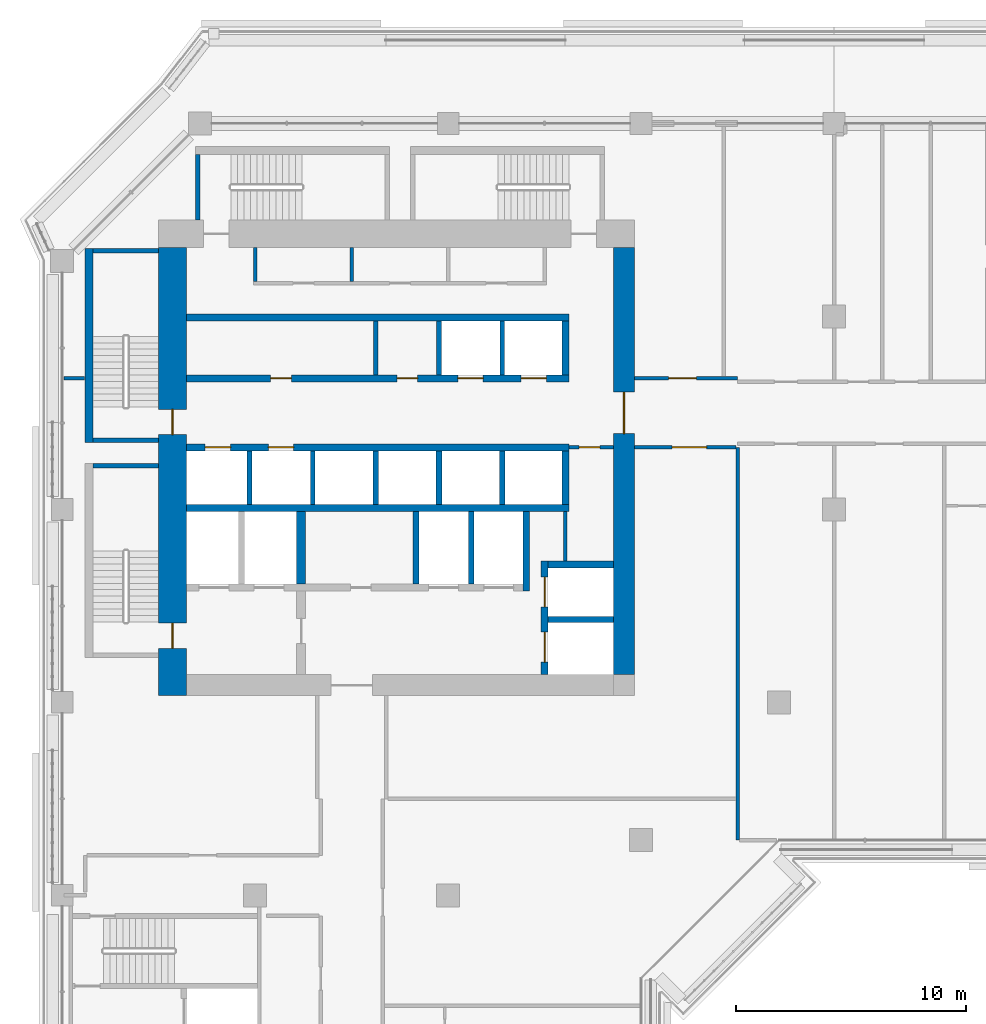
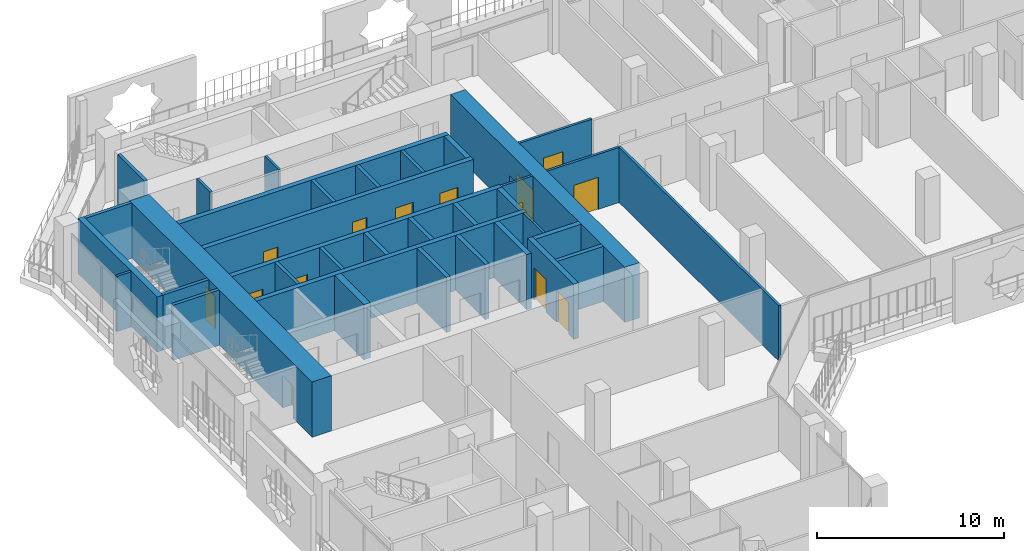
# One storey, part 11 of 22: 36 walls, 14 doors, 14 openings.
"""IFC4 building model written with IfcOpenShell, lengths in metres."""

import ifcopenshell
import ifcopenshell.guid

model = None  # the IFC model being written
_history = None  # IfcOwnerHistory: only IFC2X3 demands one
_inside = {}  # id of a spatial element -> (the spatial element, [elements in it])
_under = {}  # id of a project, library or spatial element -> (it, [spatial elements below it])
_declared = {}  # id of a project -> (the project, [libraries it declares])
_typed = {}  # id of a type object -> (the type object, [elements of that type])
_made_of = {}  # id of a material, layer set ... -> (it, [elements and type objects made of it])


def new_model(schema):
    """Start an empty IFC model of exactly this schema.

    Asked for "IFC4X3", IfcOpenShell would pick the latest addendum, in which some entities
    have other attributes; the version numbers below select the first issue.
    IFC2X3 requires an IfcOwnerHistory on every rooted entity: one is made here for all.
    """
    global model, _history
    if schema == "IFC4X3":
        model = ifcopenshell.file(schema_version=(4, 3, 0, 0))
    else:
        model = ifcopenshell.file(schema=schema)
    _inside.clear()
    _under.clear()
    _declared.clear()
    _typed.clear()
    _made_of.clear()
    _history = None
    if model.schema == "IFC2X3":
        org = make("IfcOrganization", Name="unknown")
        user = make(
            "IfcPersonAndOrganization",
            ThePerson=make("IfcPerson", FamilyName="unknown"),
            TheOrganization=org,
        )
        app = make(
            "IfcApplication",
            ApplicationDeveloper=org,
            Version="unknown",
            ApplicationFullName="unknown",
            ApplicationIdentifier="unknown",
        )
        _history = make(
            "IfcOwnerHistory",
            OwningUser=user,
            OwningApplication=app,
            ChangeAction="ADDED",
            CreationDate=0,
        )
    return model


def make(cls, **values):
    """One entity of the class cls with the attributes given. An attribute that is None is left unset."""
    return model.create_entity(
        cls, **{name: value for name, value in values.items() if value is not None}
    )


def rooted(cls, **values):
    """An entity with a GlobalId (a new one), such as an element, a storey or a relation."""
    return make(cls, GlobalId=ifcopenshell.guid.new(), OwnerHistory=_history, **values)


def si_unit(unit_type, name, prefix=None):
    """IfcSIUnit, for example si_unit("LENGTHUNIT", "METRE", prefix="MILLI")."""
    return make("IfcSIUnit", UnitType=unit_type, Prefix=prefix, Name=name)


def assignment(units):
    """IfcUnitAssignment: the units of a project."""
    return None if units is None else make("IfcUnitAssignment", Units=units)


def point(xyz):
    """IfcCartesianPoint."""
    return None if xyz is None else make("IfcCartesianPoint", Coordinates=xyz)


def direction(xyz):
    """IfcDirection."""
    return None if xyz is None else make("IfcDirection", DirectionRatios=xyz)


def frame(location, z_axis=None, x_axis=None):
    """IfcAxis2Placement3D, a coordinate frame: its origin and axes. An axis left out is left unset."""
    return make(
        "IfcAxis2Placement3D",
        Location=point(location),
        Axis=direction(z_axis),
        RefDirection=direction(x_axis),
    )


def frame_2d(location, x_axis=None):
    """IfcAxis2Placement2D, a coordinate frame in the plane: its origin and x axis."""
    return make(
        "IfcAxis2Placement2D", Location=point(location), RefDirection=direction(x_axis)
    )


def origin():
    """The frame at (0, 0, 0) with its axes left unset."""
    return frame((0.0, 0.0, 0.0))


def place(relative_to, where):
    """IfcLocalPlacement: puts the frame where relative to a parent placement (None: the world)."""
    return make(
        "IfcLocalPlacement", PlacementRelTo=relative_to, RelativePlacement=where
    )


def context(
    kind, dimensions, precision=None, world=None, true_north=None, identifier=None
):
    """IfcGeometricRepresentationContext, for example the 3D "Model" context."""
    return make(
        "IfcGeometricRepresentationContext",
        ContextIdentifier=identifier,
        ContextType=kind,
        CoordinateSpaceDimension=dimensions,
        Precision=precision,
        WorldCoordinateSystem=world,
        TrueNorth=true_north,
    )


def subcontext(parent, identifier, kind, view, scale=None):
    """IfcGeometricRepresentationSubContext, for example "Body" below "Model"."""
    return make(
        "IfcGeometricRepresentationSubContext",
        ContextIdentifier=identifier,
        ContextType=kind,
        ParentContext=parent,
        TargetScale=scale,
        TargetView=view,
    )


def project(units=None, contexts=None):
    """IfcProject with its units and contexts."""
    return rooted(
        "IfcProject",
        Name="project",
        RepresentationContexts=contexts,
        UnitsInContext=assignment(units),
    )


def spatial(cls, under=None, at=None, **own):
    """A site, building, storey or space (cls), placed at a placement, below another one or the project."""
    s = rooted(cls, ObjectPlacement=at, **own)
    if under is not None:
        _under.setdefault(under.id(), (under, []))[1].append(s)
    return s


def profile(cls, at=None, kind="AREA", **sizes):
    """A parametric profile (cls). Its sizes go by their IFC names, for example OverallWidth=200.0."""
    return make(cls, ProfileType=kind, Position=at, **sizes)


def rectangle(**sizes):
    """IfcRectangleProfileDef."""
    return profile("IfcRectangleProfileDef", **sizes)


def extrude(swept, where, along, depth):
    """IfcExtrudedAreaSolid: the profile swept, set in the frame where, extruded along a direction by depth."""
    return make(
        "IfcExtrudedAreaSolid",
        SweptArea=swept,
        Position=where,
        ExtrudedDirection=direction(along),
        Depth=depth,
    )


def shape(context_of_items, identifier, shape_type, items):
    """IfcShapeRepresentation: the items that make up one representation, for example the "Body"."""
    return make(
        "IfcShapeRepresentation",
        ContextOfItems=context_of_items,
        RepresentationIdentifier=identifier,
        RepresentationType=shape_type,
        Items=items,
    )


def material(Name=None, Category=None):
    """IfcMaterial."""
    return make("IfcMaterial", Name=Name, Category=Category)


def layer(
    of_material, thickness, ventilated=None, Name=None, Category=None, Priority=None
):
    """IfcMaterialLayer: one layer of a wall or slab, of a material (None: an air gap)."""
    return make(
        "IfcMaterialLayer",
        Material=of_material,
        LayerThickness=thickness,
        IsVentilated=ventilated,
        Name=Name,
        Category=Category,
        Priority=Priority,
    )


def layer_set(layers, Name=None):
    """IfcMaterialLayerSet."""
    return make("IfcMaterialLayerSet", MaterialLayers=layers, LayerSetName=Name)


def made_of(thing, what):
    """Note that an element or type object is made of a material, layer set ...; save() writes the relation."""
    if what is not None:
        _made_of.setdefault(what.id(), (what, []))[1].append(thing)
    return thing


def type_object(cls, material=None, **own):
    """A type object (cls), such as IfcWallType, which elements share."""
    return made_of(rooted(cls, **own), material)


def element(
    cls,
    number,
    at=None,
    inside=None,
    cuts=None,
    type_object=None,
    material=None,
    context=None,
    identifier="Body",
    shape_type=None,
    held_by="IfcProductDefinitionShape",
    body=None,
    shapes=None,
    **own,
):
    """One element of the class cls, such as IfcWall. Its Tag is "e" and its number.

    at: its placement. inside: the storey or other place that contains it. cuts: it is an
    opening in that element (IfcRelVoidsElement). A single representation is given by context,
    identifier, shape_type and body (its items); several are given by shapes. held_by: the class
    of the entity that holds the representations. save() writes the other relations.
    """
    e = rooted(cls, Tag="e%d" % number, ObjectPlacement=at, **own)
    if body is not None:
        shapes = [shape(context, identifier, shape_type, body)]
    if shapes is not None:
        e.Representation = make(held_by, Representations=shapes)
    if inside is not None:
        _inside.setdefault(inside.id(), (inside, []))[1].append(e)
    if cuts is not None:
        rooted(
            "IfcRelVoidsElement", RelatingBuildingElement=cuts, RelatedOpeningElement=e
        )
    if type_object is not None:
        _typed.setdefault(type_object.id(), (type_object, []))[1].append(e)
    return made_of(e, material)


def fill(opening, filler):
    """IfcRelFillsElement: the door or window that sits in an opening."""
    return rooted(
        "IfcRelFillsElement",
        RelatingOpeningElement=opening,
        RelatedBuildingElement=filler,
    )


def aggregate(whole, parts):
    """IfcRelAggregates: a whole, such as a stair, and the parts it consists of."""
    return rooted("IfcRelAggregates", RelatingObject=whole, RelatedObjects=parts)


def save(model, path):
    """Write the relations noted so far, then the file.

    IfcRelAggregates (storeys below a building ...), IfcRelContainedInSpatialStructure (elements
    in a storey), IfcRelDefinesByType, IfcRelAssociatesMaterial and IfcRelDeclares: one each for
    every whole, place, type object, material and project.
    """
    for whole, parts in _under.values():
        aggregate(whole, parts)
    for where, things in _inside.values():
        rooted(
            "IfcRelContainedInSpatialStructure",
            RelatedElements=things,
            RelatingStructure=where,
        )
    for kind, things in _typed.values():
        rooted("IfcRelDefinesByType", RelatedObjects=things, RelatingType=kind)
    for what, things in _made_of.values():
        rooted("IfcRelAssociatesMaterial", RelatedObjects=things, RelatingMaterial=what)
    for by, libraries in _declared.values():
        rooted("IfcRelDeclares", RelatingContext=by, RelatedDefinitions=libraries)
    model.write(path)


model = new_model("IFC4")

# Units and contexts
model_context = context("Model", 3, precision=1e-05, world=origin(), true_north=direction((0.0, 1.0)))
body_context = subcontext(model_context, "Body", "Model", "MODEL_VIEW")
ifc_project = project(units=[si_unit("LENGTHUNIT", "METRE"), si_unit("AREAUNIT", "SQUARE_METRE"), si_unit("VOLUMEUNIT", "CUBIC_METRE"), si_unit("PLANEANGLEUNIT", "RADIAN"), si_unit("MASSUNIT", "GRAM", prefix="KILO")], contexts=[model_context])

# Site, building, storey
site_placement = place(None, origin())
site = spatial("IfcSite", under=ifc_project, at=site_placement, CompositionType="ELEMENT")
building_placement = place(site_placement, origin())
building = spatial("IfcBuilding", under=site, at=building_placement, Name="Kawkab Arch Medical Tower", CompositionType="ELEMENT")
storey_placement = place(building_placement, frame((0.0, 0.0, 187.800048828125)))
storey = spatial("IfcBuildingStorey", under=building, at=storey_placement, Name="L43", CompositionType="ELEMENT", Elevation=187.800048828125)

# Wall, openings, doors
ifc_material_1 = material(Name="Concrete C55/67", Category="concrete")
ifc_layer_1 = layer(ifc_material_1, 1.199951171875)
ifc_layer_set_1 = layer_set([ifc_layer_1], Name="Concrete C55/67")
wall_type_1 = type_object("IfcWallType", Name="Core ring wall 1200 C55/67", PredefinedType="SHEAR", material=ifc_layer_set_1)
wall_1_placement = place(storey_placement, frame((4.800048828125, -24.89990234375, 0.0), z_axis=(0.0, 0.0, 1.0), x_axis=(0.0, 1.0, 0.0)))
wall_1 = element("IfcWall", 1, at=wall_1_placement, inside=storey, type_object=wall_type_1, Name="L43 core wall", PredefinedType="SHEAR", context=body_context, shape_type="SweptSolid", body=[
    extrude(rectangle(XDim=19.5, YDim=1.199951171875, at=frame_2d((9.75, 0.0))), origin(), (0.0, 0.0, 1.0), 3.599853515625),
])
opening_1_placement = place(wall_1_placement, frame((11.35009765625, 0.0, 0.0)))
opening_1 = element("IfcOpeningElement", 2, at=opening_1_placement, cuts=wall_1, Name="Opening SD", PredefinedType="OPENING", context=body_context, shape_type="SweptSolid", body=[
    extrude(rectangle(XDim=1.10009765625, YDim=2.10009765625, at=frame_2d((0.550048828125, 1.050048828125))), frame((0.0, 0.60986328125, 0.0), z_axis=(0.0, -1.0, 0.0), x_axis=(1.0, 0.0, 0.0)), (0.0, 0.0, 1.0), 1.219970703125),
])
opening_2_placement = place(wall_1_placement, frame((2.050048828125, 0.0, 0.0)))
opening_2 = element("IfcOpeningElement", 3, at=opening_2_placement, cuts=wall_1, Name="Opening SD", PredefinedType="OPENING", context=body_context, shape_type="SweptSolid", body=[
    extrude(rectangle(XDim=1.10009765625, YDim=2.10009765625, at=frame_2d((0.550048828125, 1.050048828125))), frame((0.0, 0.60986328125, 0.0), z_axis=(0.0, -1.0, 0.0), x_axis=(1.0, 0.0, 0.0)), (0.0, 0.0, 1.0), 1.219970703125),
])
ifc_material_2 = material(Name="Hollow metal fire door leaf")
door_type_1 = type_object("IfcDoorType", Name="Exit stair door 1100", OperationType="SINGLE_SWING_LEFT", PredefinedType="DOOR", material=ifc_material_2)
door_1_placement = place(opening_1_placement, origin())
door_1 = element("IfcDoor", 4, at=door_1_placement, inside=storey, type_object=door_type_1, Name="L43 Exit stair ST1 door", OperationType="SINGLE_SWING_LEFT", OverallHeight=2.10009765625, OverallWidth=1.10009765625, PredefinedType="DOOR", context=body_context, shape_type="SweptSolid", body=[
    extrude(rectangle(XDim=1.10009765625, YDim=2.10009765625, at=frame_2d((0.550048828125, 1.050048828125))), frame((0.0, 0.02490234375, 0.0), z_axis=(0.0, -1.0, 0.0), x_axis=(1.0, 0.0, 0.0)), (0.0, 0.0, 1.0), 0.050048828125),
])
fill(opening_1, door_1)
door_2_placement = place(opening_2_placement, origin())
door_2 = element("IfcDoor", 5, at=door_2_placement, inside=storey, type_object=door_type_1, Name="L43 Exit stair ST2 door", OperationType="SINGLE_SWING_LEFT", OverallHeight=2.10009765625, OverallWidth=1.10009765625, PredefinedType="DOOR", context=body_context, shape_type="SweptSolid", body=[
    extrude(rectangle(XDim=1.10009765625, YDim=2.10009765625, at=frame_2d((0.550048828125, 1.050048828125))), frame((0.0, 0.02490234375, 0.0), z_axis=(0.0, -1.0, 0.0), x_axis=(1.0, 0.0, 0.0)), (0.0, 0.0, 1.0), 0.050048828125),
])
fill(opening_2, door_2)

# Wall, opening, door
ifc_material_3 = material(Name="Concrete C55/67", Category="concrete")
ifc_layer_2 = layer(ifc_material_3, 0.89990234375)
ifc_layer_set_2 = layer_set([ifc_layer_2], Name="Concrete C55/67")
wall_type_2 = type_object("IfcWallType", Name="Core ring wall 900 C55/67", PredefinedType="SHEAR", material=ifc_layer_set_2)
wall_2_placement = place(storey_placement, frame((24.449951171875, -24.0, 0.0), z_axis=(0.0, 0.0, 1.0), x_axis=(0.0, 1.0, 0.0)))
wall_2 = element("IfcWall", 6, at=wall_2_placement, inside=storey, type_object=wall_type_2, Name="L43 core wall", PredefinedType="SHEAR", context=body_context, shape_type="SweptSolid", body=[
    extrude(rectangle(XDim=18.60009765625, YDim=0.89990234375, at=frame_2d((9.300048828125, 0.0))), origin(), (0.0, 0.0, 1.0), 3.599853515625),
])
opening_3_placement = place(wall_2_placement, frame((10.5, 0.0, 0.0)))
opening_3 = element("IfcOpeningElement", 7, at=opening_3_placement, cuts=wall_2, Name="Opening PD", PredefinedType="OPENING", context=body_context, shape_type="SweptSolid", body=[
    extrude(rectangle(XDim=1.800048828125, YDim=2.10009765625, at=frame_2d((0.89990234375, 1.050048828125))), frame((0.0, 0.4599609375, 0.0), z_axis=(0.0, -1.0, 0.0), x_axis=(1.0, 0.0, 0.0)), (0.0, 0.0, 1.0), 0.919921875),
])
ifc_material_4 = material(Name="Hollow metal fire door leaf")
door_type_2 = type_object("IfcDoorType", Name="Core entrance doors 1800", OperationType="DOUBLE_DOOR_SINGLE_SWING", PredefinedType="DOOR", material=ifc_material_4)
door_3_placement = place(opening_3_placement, origin())
door_3 = element("IfcDoor", 8, at=door_3_placement, inside=storey, type_object=door_type_2, Name="L43 East entrance doors", OperationType="DOUBLE_DOOR_SINGLE_SWING", OverallHeight=2.10009765625, OverallWidth=1.800048828125, PredefinedType="DOOR", context=body_context, shape_type="SweptSolid", body=[
    extrude(rectangle(XDim=1.800048828125, YDim=2.10009765625, at=frame_2d((0.89990234375, 1.050048828125))), frame((0.0, 0.02490234375, 0.0), z_axis=(0.0, -1.0, 0.0), x_axis=(1.0, 0.0, 0.0)), (0.0, 0.0, 1.0), 0.050048828125),
])
fill(opening_3, door_3)

# Wall
ifc_material_5 = material(Name="Gypsum board on steel studs", Category="steel")
ifc_layer_3 = layer(ifc_material_5, 0.14990234375)
ifc_layer_set_3 = layer_set([ifc_layer_3], Name="Gypsum board on steel studs")
wall_type_3 = type_object("IfcWallType", Name="Core room partition 150", PredefinedType="PARTITIONING", material=ifc_layer_set_3)
wall_3_placement = place(storey_placement, frame((21.89990234375, -19.050048828125, 0.0), z_axis=(0.0, 0.0, 1.0), x_axis=(0.0, 1.0, 0.0)))
element("IfcWall", 9, at=wall_3_placement, inside=storey, type_object=wall_type_3, Name="L43 core room partition", PredefinedType="PARTITIONING", context=body_context, shape_type="SweptSolid", body=[
    extrude(rectangle(XDim=2.150146484375, YDim=0.14990234375, at=frame_2d((1.0751953125, 0.0))), origin(), (0.0, 0.0, 1.0), 3.599853515625),
])

# Wall, opening, door
wall_4_placement = place(storey_placement, frame((22.050048828125, -14.10009765625, 0.0), z_axis=(0.0, 0.0, 1.0), x_axis=(1.0, 0.0, 0.0)))
wall_4 = element("IfcWall", 10, at=wall_4_placement, inside=storey, type_object=wall_type_3, Name="L43 core room partition", PredefinedType="PARTITIONING", context=body_context, shape_type="SweptSolid", body=[
    extrude(rectangle(XDim=1.949951171875, YDim=0.14990234375, at=frame_2d((0.97509765625, 0.0))), origin(), (0.0, 0.0, 1.0), 3.599853515625),
])
opening_4_placement = place(wall_4_placement, frame((0.449951171875, 0.0, 0.0)))
opening_4 = element("IfcOpeningElement", 11, at=opening_4_placement, cuts=wall_4, Name="Opening RD", PredefinedType="OPENING", context=body_context, shape_type="SweptSolid", body=[
    extrude(rectangle(XDim=0.89990234375, YDim=2.10009765625, at=frame_2d((0.449951171875, 1.050048828125))), frame((0.0, 0.0849609375, 0.0), z_axis=(0.0, -1.0, 0.0), x_axis=(1.0, 0.0, 0.0)), (0.0, 0.0, 1.0), 0.169921875),
])
ifc_material_6 = material(Name="Hollow metal fire door leaf")
door_type_3 = type_object("IfcDoorType", Name="Core room door 900", OperationType="SINGLE_SWING_LEFT", PredefinedType="DOOR", material=ifc_material_6)
door_4_placement = place(opening_4_placement, origin())
door_4 = element("IfcDoor", 12, at=door_4_placement, inside=storey, type_object=door_type_3, Name="L43 Clean utility room door", OperationType="SINGLE_SWING_LEFT", OverallHeight=2.10009765625, OverallWidth=0.89990234375, PredefinedType="DOOR", context=body_context, shape_type="SweptSolid", body=[
    extrude(rectangle(XDim=0.89990234375, YDim=2.10009765625, at=frame_2d((0.449951171875, 1.050048828125))), frame((0.0, 0.02490234375, 0.0), z_axis=(0.0, -1.0, 0.0), x_axis=(1.0, 0.0, 0.0)), (0.0, 0.0, 1.0), 0.050048828125),
])
fill(opening_4, door_4)

# Walls
for number, where, z_axis, x_axis, name in (
    (13, (8.39990234375, -6.875, 0.0), (0.0, 0.0, 1.0), (0.0, 1.0, 0.0), "L43 core room partition"),
    (14, (12.60009765625, -6.875, 0.0), (0.0, 0.0, 1.0), (0.0, 1.0, 0.0), "L43 core room partition"),
):
    element("IfcWall", number, at=place(storey_placement, frame(where, z_axis=z_axis, x_axis=x_axis)), inside=storey, type_object=wall_type_3, Name=name, PredefinedType="PARTITIONING", context=body_context, shape_type="SweptSolid", body=[
        extrude(rectangle(XDim=1.47509765625, YDim=0.14990234375, at=frame_2d((0.737548828125, 0.0))), origin(), (0.0, 0.0, 1.0), 3.599853515625),
    ])
ifc_material_7 = material(Name="Concrete C60/75", Category="concrete")
ifc_layer_4 = layer(ifc_material_7, 0.25)
ifc_layer_set_4 = layer_set([ifc_layer_4], Name="Concrete C60/75")
wall_type_4 = type_object("IfcWallType", Name="Core shear wall 250 C60/75", PredefinedType="SHEAR", material=ifc_layer_set_4)
wall_5_placement = place(storey_placement, frame((21.14990234375, -21.60009765625, 0.0), z_axis=(0.0, 0.0, 1.0), x_axis=(1.0, 0.0, 0.0)))
element("IfcWall", 15, at=wall_5_placement, inside=storey, type_object=wall_type_4, Name="L43 core shear wall", PredefinedType="SHEAR", context=body_context, shape_type="SweptSolid", body=[
    extrude(rectangle(XDim=2.85009765625, YDim=0.25, at=frame_2d((1.425048828125, 0.0))), origin(), (0.0, 0.0, 1.0), 3.599853515625),
])
for number, where, z_axis, x_axis, name in (
    (16, (15.39990234375, -20.050048828125, 0.0), (0.0, 0.0, 1.0), (0.0, 1.0, 0.0), "L43 core shear wall"),
    (17, (17.800048828125, -20.050048828125, 0.0), (0.0, 0.0, 1.0), (0.0, 1.0, 0.0), "L43 core shear wall"),
):
    element("IfcWall", number, at=place(storey_placement, frame(where, z_axis=z_axis, x_axis=x_axis)), inside=storey, type_object=wall_type_4, Name=name, PredefinedType="SHEAR", context=body_context, shape_type="SweptSolid", body=[
        extrude(rectangle(XDim=3.150146484375, YDim=0.25, at=frame_2d((1.5751953125, 0.0))), origin(), (0.0, 0.0, 1.0), 3.599853515625),
    ])
for number, where, z_axis, x_axis, name in (
    (18, (13.64990234375, -16.60009765625, 0.0), (0.0, 0.0, 1.0), (0.0, 1.0, 0.0), "L43 core shear wall"),
    (19, (16.39990234375, -16.60009765625, 0.0), (0.0, 0.0, 1.0), (0.0, 1.0, 0.0), "L43 core shear wall"),
    (20, (19.14990234375, -16.60009765625, 0.0), (0.0, 0.0, 1.0), (0.0, 1.0, 0.0), "L43 core shear wall"),
):
    element("IfcWall", number, at=place(storey_placement, frame(where, z_axis=z_axis, x_axis=x_axis)), inside=storey, type_object=wall_type_4, Name=name, PredefinedType="SHEAR", context=body_context, shape_type="SweptSolid", body=[
        extrude(rectangle(XDim=2.35009765625, YDim=0.25, at=frame_2d((1.175048828125, 0.0))), origin(), (0.0, 0.0, 1.0), 3.599853515625),
    ])
ifc_material_8 = material(Name="Concrete C60/75", Category="concrete")
ifc_layer_5 = layer(ifc_material_8, 0.300048828125)
ifc_layer_set_5 = layer_set([ifc_layer_5], Name="Concrete C60/75")
wall_type_5 = type_object("IfcWallType", Name="Core shear wall 300 C60/75", PredefinedType="SHEAR", material=ifc_layer_set_5)
wall_6_placement = place(storey_placement, frame((5.39990234375, -8.449951171875, 0.0), z_axis=(0.0, 0.0, 1.0), x_axis=(1.0, 0.0, 0.0)))
element("IfcWall", 21, at=wall_6_placement, inside=storey, type_object=wall_type_5, Name="L43 core shear wall", PredefinedType="SHEAR", context=body_context, shape_type="SweptSolid", body=[
    extrude(rectangle(XDim=16.650146484375, YDim=0.300048828125, at=frame_2d((8.3251953125, 0.0))), origin(), (0.0, 0.0, 1.0), 3.599853515625),
])

# Wall, openings, doors
wall_7_placement = place(storey_placement, frame((5.39990234375, -11.10009765625, 0.0), z_axis=(0.0, 0.0, 1.0), x_axis=(1.0, 0.0, 0.0)))
wall_7 = element("IfcWall", 22, at=wall_7_placement, inside=storey, type_object=wall_type_5, Name="L43 core shear wall", PredefinedType="SHEAR", context=body_context, shape_type="SweptSolid", body=[
    extrude(rectangle(XDim=16.650146484375, YDim=0.300048828125, at=frame_2d((8.3251953125, 0.0))), origin(), (0.0, 0.0, 1.0), 3.599853515625),
])
opening_5_placement = place(wall_7_placement, frame((11.824951171875, 0.0, 0.0)))
opening_5 = element("IfcOpeningElement", 23, at=opening_5_placement, cuts=wall_7, Name="Opening LD1", PredefinedType="OPENING", context=body_context, shape_type="SweptSolid", body=[
    extrude(rectangle(XDim=1.10009765625, YDim=2.10009765625, at=frame_2d((0.550048828125, 1.050048828125))), frame((0.0, 0.159912109375, 0.0), z_axis=(0.0, -1.0, 0.0), x_axis=(1.0, 0.0, 0.0)), (0.0, 0.0, 1.0), 0.320068359375),
])
opening_6_placement = place(wall_7_placement, frame((14.574951171875, 0.0, 0.0)))
opening_6 = element("IfcOpeningElement", 24, at=opening_6_placement, cuts=wall_7, Name="Opening LD1", PredefinedType="OPENING", context=body_context, shape_type="SweptSolid", body=[
    extrude(rectangle(XDim=1.10009765625, YDim=2.10009765625, at=frame_2d((0.550048828125, 1.050048828125))), frame((0.0, 0.159912109375, 0.0), z_axis=(0.0, -1.0, 0.0), x_axis=(1.0, 0.0, 0.0)), (0.0, 0.0, 1.0), 0.320068359375),
])
opening_7_placement = place(wall_7_placement, frame((3.675048828125, 0.0, 0.0)))
opening_7 = element("IfcOpeningElement", 25, at=opening_7_placement, cuts=wall_7, Name="Opening RD", PredefinedType="OPENING", context=body_context, shape_type="SweptSolid", body=[
    extrude(rectangle(XDim=0.89990234375, YDim=2.10009765625, at=frame_2d((0.449951171875, 1.050048828125))), frame((0.0, 0.159912109375, 0.0), z_axis=(0.0, -1.0, 0.0), x_axis=(1.0, 0.0, 0.0)), (0.0, 0.0, 1.0), 0.320068359375),
])
opening_8_placement = place(wall_7_placement, frame((9.175048828125, 0.0, 0.0)))
opening_8 = element("IfcOpeningElement", 26, at=opening_8_placement, cuts=wall_7, Name="Opening RD", PredefinedType="OPENING", context=body_context, shape_type="SweptSolid", body=[
    extrude(rectangle(XDim=0.89990234375, YDim=2.10009765625, at=frame_2d((0.449951171875, 1.050048828125))), frame((0.0, 0.159912109375, 0.0), z_axis=(0.0, -1.0, 0.0), x_axis=(1.0, 0.0, 0.0)), (0.0, 0.0, 1.0), 0.320068359375),
])
door_5_placement = place(opening_7_placement, origin())
door_5 = element("IfcDoor", 27, at=door_5_placement, inside=storey, type_object=door_type_3, Name="L43 Clean utility room door", OperationType="SINGLE_SWING_LEFT", OverallHeight=2.10009765625, OverallWidth=0.89990234375, PredefinedType="DOOR", context=body_context, shape_type="SweptSolid", body=[
    extrude(rectangle(XDim=0.89990234375, YDim=2.10009765625, at=frame_2d((0.449951171875, 1.050048828125))), frame((0.0, 0.02490234375, 0.0), z_axis=(0.0, -1.0, 0.0), x_axis=(1.0, 0.0, 0.0)), (0.0, 0.0, 1.0), 0.050048828125),
])
fill(opening_7, door_5)
door_6_placement = place(opening_8_placement, origin())
door_6 = element("IfcDoor", 28, at=door_6_placement, inside=storey, type_object=door_type_3, Name="L43 General store door", OperationType="SINGLE_SWING_LEFT", OverallHeight=2.10009765625, OverallWidth=0.89990234375, PredefinedType="DOOR", context=body_context, shape_type="SweptSolid", body=[
    extrude(rectangle(XDim=0.89990234375, YDim=2.10009765625, at=frame_2d((0.449951171875, 1.050048828125))), frame((0.0, 0.02490234375, 0.0), z_axis=(0.0, -1.0, 0.0), x_axis=(1.0, 0.0, 0.0)), (0.0, 0.0, 1.0), 0.050048828125),
])
fill(opening_8, door_6)
ifc_material_9 = material(Name="Stainless steel lift door leaf", Category="steel")
door_type_4 = type_object("IfcDoorType", Name="Lift landing door 1100", OperationType="DOUBLE_DOOR_SLIDING", PredefinedType="DOOR", material=ifc_material_9)
door_7_placement = place(opening_5_placement, origin())
door_7 = element("IfcDoor", 29, at=door_7_placement, inside=storey, type_object=door_type_4, Name="L43 Lift landing door MP1", OperationType="DOUBLE_DOOR_SLIDING", OverallHeight=2.10009765625, OverallWidth=1.10009765625, PredefinedType="DOOR", context=body_context, shape_type="SweptSolid", body=[
    extrude(rectangle(XDim=1.10009765625, YDim=2.10009765625, at=frame_2d((0.550048828125, 1.050048828125))), frame((0.0, 0.02490234375, 0.0), z_axis=(0.0, -1.0, 0.0), x_axis=(1.0, 0.0, 0.0)), (0.0, 0.0, 1.0), 0.050048828125),
])
fill(opening_5, door_7)
door_8_placement = place(opening_6_placement, origin())
door_8 = element("IfcDoor", 30, at=door_8_placement, inside=storey, type_object=door_type_4, Name="L43 Lift landing door MP2", OperationType="DOUBLE_DOOR_SLIDING", OverallHeight=2.10009765625, OverallWidth=1.10009765625, PredefinedType="DOOR", context=body_context, shape_type="SweptSolid", body=[
    extrude(rectangle(XDim=1.10009765625, YDim=2.10009765625, at=frame_2d((0.550048828125, 1.050048828125))), frame((0.0, 0.02490234375, 0.0), z_axis=(0.0, -1.0, 0.0), x_axis=(1.0, 0.0, 0.0)), (0.0, 0.0, 1.0), 0.050048828125),
])
fill(opening_6, door_8)

wall_8_placement = place(storey_placement, frame((5.39990234375, -14.10009765625, 0.0), z_axis=(0.0, 0.0, 1.0), x_axis=(1.0, 0.0, 0.0)))
wall_8 = element("IfcWall", 31, at=wall_8_placement, inside=storey, type_object=wall_type_5, Name="L43 core shear wall", PredefinedType="SHEAR", context=body_context, shape_type="SweptSolid", body=[
    extrude(rectangle(XDim=16.650146484375, YDim=0.300048828125, at=frame_2d((8.3251953125, 0.0))), origin(), (0.0, 0.0, 1.0), 3.599853515625),
])
opening_9_placement = place(wall_8_placement, frame((0.824951171875, 0.0, 0.0)))
opening_9 = element("IfcOpeningElement", 32, at=opening_9_placement, cuts=wall_8, Name="Opening LD1", PredefinedType="OPENING", context=body_context, shape_type="SweptSolid", body=[
    extrude(rectangle(XDim=1.10009765625, YDim=2.10009765625, at=frame_2d((0.550048828125, 1.050048828125))), frame((0.0, 0.159912109375, 0.0), z_axis=(0.0, -1.0, 0.0), x_axis=(1.0, 0.0, 0.0)), (0.0, 0.0, 1.0), 0.320068359375),
])
opening_10_placement = place(wall_8_placement, frame((3.574951171875, 0.0, 0.0)))
opening_10 = element("IfcOpeningElement", 33, at=opening_10_placement, cuts=wall_8, Name="Opening LD1", PredefinedType="OPENING", context=body_context, shape_type="SweptSolid", body=[
    extrude(rectangle(XDim=1.10009765625, YDim=2.10009765625, at=frame_2d((0.550048828125, 1.050048828125))), frame((0.0, 0.159912109375, 0.0), z_axis=(0.0, -1.0, 0.0), x_axis=(1.0, 0.0, 0.0)), (0.0, 0.0, 1.0), 0.320068359375),
])
door_9_placement = place(opening_9_placement, origin())
door_9 = element("IfcDoor", 34, at=door_9_placement, inside=storey, type_object=door_type_4, Name="L43 Lift landing door MP3", OperationType="DOUBLE_DOOR_SLIDING", OverallHeight=2.10009765625, OverallWidth=1.10009765625, PredefinedType="DOOR", context=body_context, shape_type="SweptSolid", body=[
    extrude(rectangle(XDim=1.10009765625, YDim=2.10009765625, at=frame_2d((0.550048828125, 1.050048828125))), frame((0.0, 0.02490234375, 0.0), z_axis=(0.0, -1.0, 0.0), x_axis=(1.0, 0.0, 0.0)), (0.0, 0.0, 1.0), 0.050048828125),
])
fill(opening_9, door_9)
door_10_placement = place(opening_10_placement, origin())
door_10 = element("IfcDoor", 35, at=door_10_placement, inside=storey, type_object=door_type_4, Name="L43 Lift landing door MP4", OperationType="DOUBLE_DOOR_SLIDING", OverallHeight=2.10009765625, OverallWidth=1.10009765625, PredefinedType="DOOR", context=body_context, shape_type="SweptSolid", body=[
    extrude(rectangle(XDim=1.10009765625, YDim=2.10009765625, at=frame_2d((0.550048828125, 1.050048828125))), frame((0.0, 0.02490234375, 0.0), z_axis=(0.0, -1.0, 0.0), x_axis=(1.0, 0.0, 0.0)), (0.0, 0.0, 1.0), 0.050048828125),
])
fill(opening_10, door_10)

# Walls
wall_9_placement = place(storey_placement, frame((5.39990234375, -16.75, 0.0), z_axis=(0.0, 0.0, 1.0), x_axis=(1.0, 0.0, 0.0)))
element("IfcWall", 36, at=wall_9_placement, inside=storey, type_object=wall_type_5, Name="L43 core shear wall", PredefinedType="SHEAR", context=body_context, shape_type="SweptSolid", body=[
    extrude(rectangle(XDim=16.650146484375, YDim=0.300048828125, at=frame_2d((8.3251953125, 0.0))), origin(), (0.0, 0.0, 1.0), 3.599853515625),
])
wall_10_placement = place(storey_placement, frame((20.199951171875, -20.35009765625, 0.0), z_axis=(0.0, 0.0, 1.0), x_axis=(0.0, 1.0, 0.0)))
element("IfcWall", 37, at=wall_10_placement, inside=storey, type_object=wall_type_5, Name="L43 core shear wall", PredefinedType="SHEAR", context=body_context, shape_type="SweptSolid", body=[
    extrude(rectangle(XDim=3.4501953125, YDim=0.300048828125, at=frame_2d((1.72509765625, 0.0))), origin(), (0.0, 0.0, 1.0), 3.599853515625),
])
wall_11_placement = place(storey_placement, frame((21.89990234375, -10.949951171875, 0.0), z_axis=(0.0, 0.0, 1.0), x_axis=(0.0, 1.0, 0.0)))
element("IfcWall", 38, at=wall_11_placement, inside=storey, type_object=wall_type_5, Name="L43 core shear wall", PredefinedType="SHEAR", context=body_context, shape_type="SweptSolid", body=[
    extrude(rectangle(XDim=2.349853515625, YDim=0.300048828125, at=frame_2d((1.1748046875, 0.0))), origin(), (0.0, 0.0, 1.0), 3.599853515625),
])
wall_12_placement = place(storey_placement, frame((21.89990234375, -16.60009765625, 0.0), z_axis=(0.0, 0.0, 1.0), x_axis=(0.0, 1.0, 0.0)))
element("IfcWall", 39, at=wall_12_placement, inside=storey, type_object=wall_type_5, Name="L43 core shear wall", PredefinedType="SHEAR", context=body_context, shape_type="SweptSolid", body=[
    extrude(rectangle(XDim=2.35009765625, YDim=0.300048828125, at=frame_2d((1.175048828125, 0.0))), origin(), (0.0, 0.0, 1.0), 3.599853515625),
])
wall_13_placement = place(storey_placement, frame((21.14990234375, -19.199951171875, 0.0), z_axis=(0.0, 0.0, 1.0), x_axis=(1.0, 0.0, 0.0)))
element("IfcWall", 40, at=wall_13_placement, inside=storey, type_object=wall_type_5, Name="L43 core shear wall", PredefinedType="SHEAR", context=body_context, shape_type="SweptSolid", body=[
    extrude(rectangle(XDim=2.85009765625, YDim=0.300048828125, at=frame_2d((1.425048828125, 0.0))), origin(), (0.0, 0.0, 1.0), 3.599853515625),
])

# Wall, openings, doors
wall_14_placement = place(storey_placement, frame((21.0, -24.0, 0.0), z_axis=(0.0, 0.0, 1.0), x_axis=(0.0, 1.0, 0.0)))
wall_14 = element("IfcWall", 41, at=wall_14_placement, inside=storey, type_object=wall_type_5, Name="L43 core shear wall", PredefinedType="SHEAR", context=body_context, shape_type="SweptSolid", body=[
    extrude(rectangle(XDim=4.949951171875, YDim=0.300048828125, at=frame_2d((2.47509765625, 0.0))), origin(), (0.0, 0.0, 1.0), 3.599853515625),
])
opening_11_placement = place(wall_14_placement, frame((2.949951171875, 0.0, 0.0)))
opening_11 = element("IfcOpeningElement", 42, at=opening_11_placement, cuts=wall_14, Name="Opening LD2", PredefinedType="OPENING", context=body_context, shape_type="SweptSolid", body=[
    extrude(rectangle(XDim=1.300048828125, YDim=2.10009765625, at=frame_2d((0.64990234375, 1.050048828125))), frame((0.0, 0.159912109375, 0.0), z_axis=(0.0, -1.0, 0.0), x_axis=(1.0, 0.0, 0.0)), (0.0, 0.0, 1.0), 0.320068359375),
])
opening_12_placement = place(wall_14_placement, frame((0.550048828125, 0.0, 0.0)))
opening_12 = element("IfcOpeningElement", 43, at=opening_12_placement, cuts=wall_14, Name="Opening LD2", PredefinedType="OPENING", context=body_context, shape_type="SweptSolid", body=[
    extrude(rectangle(XDim=1.300048828125, YDim=2.10009765625, at=frame_2d((0.64990234375, 1.050048828125))), frame((0.0, 0.159912109375, 0.0), z_axis=(0.0, -1.0, 0.0), x_axis=(1.0, 0.0, 0.0)), (0.0, 0.0, 1.0), 0.320068359375),
])
ifc_material_10 = material(Name="Stainless steel lift door leaf", Category="steel")
door_type_5 = type_object("IfcDoorType", Name="Lift landing door 1300", OperationType="DOUBLE_DOOR_SLIDING", PredefinedType="DOOR", material=ifc_material_10)
door_11_placement = place(opening_11_placement, origin())
door_11 = element("IfcDoor", 44, at=door_11_placement, inside=storey, type_object=door_type_5, Name="L43 Lift landing door BD1", OperationType="DOUBLE_DOOR_SLIDING", OverallHeight=2.10009765625, OverallWidth=1.300048828125, PredefinedType="DOOR", context=body_context, shape_type="SweptSolid", body=[
    extrude(rectangle(XDim=1.300048828125, YDim=2.10009765625, at=frame_2d((0.64990234375, 1.050048828125))), frame((0.0, 0.02490234375, 0.0), z_axis=(0.0, -1.0, 0.0), x_axis=(1.0, 0.0, 0.0)), (0.0, 0.0, 1.0), 0.050048828125),
])
fill(opening_11, door_11)
door_12_placement = place(opening_12_placement, origin())
door_12 = element("IfcDoor", 45, at=door_12_placement, inside=storey, type_object=door_type_5, Name="L43 Lift landing door BD2", OperationType="DOUBLE_DOOR_SLIDING", OverallHeight=2.10009765625, OverallWidth=1.300048828125, PredefinedType="DOOR", context=body_context, shape_type="SweptSolid", body=[
    extrude(rectangle(XDim=1.300048828125, YDim=2.10009765625, at=frame_2d((0.64990234375, 1.050048828125))), frame((0.0, 0.02490234375, 0.0), z_axis=(0.0, -1.0, 0.0), x_axis=(1.0, 0.0, 0.0)), (0.0, 0.0, 1.0), 0.050048828125),
])
fill(opening_12, door_12)

# Walls
ifc_material_11 = material(Name="Concrete C60/75", Category="concrete")
ifc_layer_6 = layer(ifc_material_11, 0.39990234375)
ifc_layer_set_6 = layer_set([ifc_layer_6], Name="Concrete C60/75")
wall_type_6 = type_object("IfcWallType", Name="Core shear wall 400 C60/75", PredefinedType="SHEAR", material=ifc_layer_set_6)
wall_15_placement = place(storey_placement, frame((10.39990234375, -20.050048828125, 0.0), z_axis=(0.0, 0.0, 1.0), x_axis=(0.0, 1.0, 0.0)))
element("IfcWall", 46, at=wall_15_placement, inside=storey, type_object=wall_type_6, Name="L43 core shear wall", PredefinedType="SHEAR", context=body_context, shape_type="SweptSolid", body=[
    extrude(rectangle(XDim=3.150146484375, YDim=0.39990234375, at=frame_2d((1.5751953125, 0.0))), origin(), (0.0, 0.0, 1.0), 3.599853515625),
])
ifc_material_12 = material(Name="Dense concrete blockwork", Category="masonry")
ifc_layer_7 = layer(ifc_material_12, 0.199951171875)
ifc_layer_set_7 = layer_set([ifc_layer_7], Name="Dense concrete blockwork")
wall_type_7 = type_object("IfcWallType", Name="Lift shaft partition 200", PredefinedType="PARTITIONING", material=ifc_layer_set_7)
for number, where, z_axis, x_axis, name in (
    (47, (13.64990234375, -10.949951171875, 0.0), (0.0, 0.0, 1.0), (0.0, 1.0, 0.0), "L43 lift shaft partition"),
    (48, (16.39990234375, -10.949951171875, 0.0), (0.0, 0.0, 1.0), (0.0, 1.0, 0.0), "L43 lift shaft partition"),
    (49, (19.14990234375, -10.949951171875, 0.0), (0.0, 0.0, 1.0), (0.0, 1.0, 0.0), "L43 lift shaft partition"),
):
    element("IfcWall", number, at=place(storey_placement, frame(where, z_axis=z_axis, x_axis=x_axis)), inside=storey, type_object=wall_type_7, Name=name, PredefinedType="PARTITIONING", context=body_context, shape_type="SweptSolid", body=[
        extrude(rectangle(XDim=2.349853515625, YDim=0.199951171875, at=frame_2d((1.1748046875, 0.0))), origin(), (0.0, 0.0, 1.0), 3.599853515625),
    ])
for number, where, z_axis, x_axis, name in (
    (50, (8.14990234375, -16.60009765625, 0.0), (0.0, 0.0, 1.0), (0.0, 1.0, 0.0), "L43 lift shaft partition"),
    (51, (10.89990234375, -16.60009765625, 0.0), (0.0, 0.0, 1.0), (0.0, 1.0, 0.0), "L43 lift shaft partition"),
):
    element("IfcWall", number, at=place(storey_placement, frame(where, z_axis=z_axis, x_axis=x_axis)), inside=storey, type_object=wall_type_7, Name=name, PredefinedType="PARTITIONING", context=body_context, shape_type="SweptSolid", body=[
        extrude(rectangle(XDim=2.35009765625, YDim=0.199951171875, at=frame_2d((1.175048828125, 0.0))), origin(), (0.0, 0.0, 1.0), 3.599853515625),
    ])

# Wall, opening, door
ifc_material_13 = material(Name="Gypsum board partition on steel studs, mineral wool", Category="steel")
ifc_layer_8 = layer(ifc_material_13, 0.14990234375)
ifc_layer_set_8 = layer_set([ifc_layer_8], Name="Gypsum board partition on steel studs, mineral wool")
wall_type_8 = type_object("IfcWallType", Name="Partition 150", PredefinedType="PARTITIONING", material=ifc_layer_set_8)
wall_16_placement = place(storey_placement, frame((24.89990234375, -14.10009765625, 0.0), z_axis=(0.0, 0.0, 1.0), x_axis=(1.0, 0.0, 0.0)))
wall_16 = element("IfcWall", 52, at=wall_16_placement, inside=storey, type_object=wall_type_8, Name="Partition 150 w032", PredefinedType="PARTITIONING", context=body_context, shape_type="SweptSolid", body=[
    extrude(rectangle(XDim=4.425048828125, YDim=0.14990234375, at=frame_2d((2.21240234375, 0.0))), origin(), (0.0, 0.0, 1.0), 3.599853515625),
])
opening_13_placement = place(wall_16_placement, frame((1.64990234375, 0.0, 0.0)))
opening_13 = element("IfcOpeningElement", 53, at=opening_13_placement, cuts=wall_16, Name="Opening W43-001", PredefinedType="OPENING", context=body_context, shape_type="SweptSolid", body=[
    extrude(rectangle(XDim=1.5, YDim=2.10009765625, at=frame_2d((0.75, 1.050048828125))), frame((0.0, 0.0849609375, 0.0), z_axis=(0.0, -1.0, 0.0), x_axis=(1.0, 0.0, 0.0)), (0.0, 0.0, 1.0), 0.169921875),
])
ifc_material_14 = material(Name="Hollow metal door leaf")
door_type_6 = type_object("IfcDoorType", Name="Double door 1500x2100 FD30S", OperationType="NOTDEFINED", PredefinedType="DOOR", material=ifc_material_14)
door_13_placement = place(opening_13_placement, origin())
door_13 = element("IfcDoor", 54, at=door_13_placement, inside=storey, type_object=door_type_6, Name="Door W43-001", OperationType="DOUBLE_DOOR_SINGLE_SWING", OverallHeight=2.10009765625, OverallWidth=1.5, PredefinedType="DOOR", context=body_context, shape_type="SweptSolid", body=[
    extrude(rectangle(XDim=1.5, YDim=2.10009765625, at=frame_2d((0.75, 1.050048828125))), frame((0.0, 0.02490234375, 0.0), z_axis=(0.0, -1.0, 0.0), x_axis=(1.0, 0.0, 0.0)), (0.0, 0.0, 1.0), 0.050048828125),
])
fill(opening_13, door_13)

# Wall
wall_17_placement = place(storey_placement, frame((0.080078125, -11.10009765625, 0.0), z_axis=(0.0, 0.0, 1.0), x_axis=(1.0, 0.0, 0.0)))
element("IfcWall", 55, at=wall_17_placement, inside=storey, type_object=wall_type_8, Name="Partition 150 w037", PredefinedType="PARTITIONING", context=body_context, shape_type="SweptSolid", body=[
    extrude(rectangle(XDim=0.889892578125, YDim=0.14990234375, at=frame_2d((0.44482421875, 0.0))), origin(), (0.0, 0.0, 1.0), 3.599853515625),
])

# Wall, opening, door
wall_18_placement = place(storey_placement, frame((24.89990234375, -11.10009765625, 0.0), z_axis=(0.0, 0.0, 1.0), x_axis=(1.0, 0.0, 0.0)))
wall_18 = element("IfcWall", 56, at=wall_18_placement, inside=storey, type_object=wall_type_8, Name="Partition 150 w038", PredefinedType="PARTITIONING", context=body_context, shape_type="SweptSolid", body=[
    extrude(rectangle(XDim=4.498046875, YDim=0.14990234375, at=frame_2d((2.2490234375, 0.0))), origin(), (0.0, 0.0, 1.0), 3.599853515625),
])
opening_14_placement = place(wall_18_placement, frame((1.5, 0.0, 0.0)))
opening_14 = element("IfcOpeningElement", 57, at=opening_14_placement, cuts=wall_18, Name="Opening W43-022", PredefinedType="OPENING", context=body_context, shape_type="SweptSolid", body=[
    extrude(rectangle(XDim=1.199951171875, YDim=2.10009765625, at=frame_2d((0.60009765625, 1.050048828125))), frame((0.0, 0.0849609375, 0.0), z_axis=(0.0, -1.0, 0.0), x_axis=(1.0, 0.0, 0.0)), (0.0, 0.0, 1.0), 0.169921875),
])
ifc_material_15 = material(Name="Hollow metal door leaf")
door_type_7 = type_object("IfcDoorType", Name="Single door 1200x2100 FD30S", OperationType="NOTDEFINED", PredefinedType="DOOR", material=ifc_material_15)
door_14_placement = place(opening_14_placement, origin())
door_14 = element("IfcDoor", 58, at=door_14_placement, inside=storey, type_object=door_type_7, Name="Door W43-022", OperationType="SINGLE_SWING_RIGHT", OverallHeight=2.10009765625, OverallWidth=1.199951171875, PredefinedType="DOOR", context=body_context, shape_type="SweptSolid", body=[
    extrude(rectangle(XDim=1.199951171875, YDim=2.10009765625, at=frame_2d((0.60009765625, 1.050048828125))), frame((0.0, 0.02490234375, 0.0), z_axis=(0.0, -1.0, 0.0), x_axis=(1.0, 0.0, 0.0)), (0.0, 0.0, 1.0), 0.050048828125),
])
fill(opening_14, door_14)

# Walls
wall_19_placement = place(storey_placement, frame((29.39990234375, -31.197998046875, 0.0), z_axis=(0.0, 0.0, 1.0), x_axis=(0.0, 1.0, 0.0)))
element("IfcWall", 59, at=wall_19_placement, inside=storey, type_object=wall_type_8, Name="Partition 150 w052", PredefinedType="PARTITIONING", context=body_context, shape_type="SweptSolid", body=[
    extrude(rectangle(XDim=17.097900390625, YDim=0.14990234375, at=frame_2d((8.548828125, 0.0))), origin(), (0.0, 0.0, 1.0), 3.599853515625),
])
ifc_material_16 = material(Name="Concrete C50/60", Category="concrete")
ifc_layer_9 = layer(ifc_material_16, 0.199951171875)
ifc_layer_set_9 = layer_set([ifc_layer_9], Name="Concrete C50/60")
wall_type_9 = type_object("IfcWallType", Name="Stair enclosure wall 200 C50/60", PredefinedType="SHEAR", material=ifc_layer_set_9)
for number, where, z_axis, x_axis, name in (
    (60, (1.35009765625, -5.550048828125, 0.0), (0.0, 0.0, 1.0), (1.0, 0.0, 0.0), "L43 stair enclosure wall"),
    (61, (1.35009765625, -13.800048828125, 0.0), (0.0, 0.0, 1.0), (1.0, 0.0, 0.0), "L43 stair enclosure wall"),
    (62, (1.35009765625, -14.89990234375, 0.0), (0.0, 0.0, 1.0), (1.0, 0.0, 0.0), "L43 stair enclosure wall"),
    (63, (5.89990234375, -4.199951171875, 0.0), (0.0, 0.0, 1.0), (0.0, 1.0, 0.0), "L43 stair enclosure wall"),
):
    element("IfcWall", number, at=place(storey_placement, frame(where, z_axis=z_axis, x_axis=x_axis)), inside=storey, type_object=wall_type_9, Name=name, PredefinedType="SHEAR", context=body_context, shape_type="SweptSolid", body=[
        extrude(rectangle(XDim=2.849853515625, YDim=0.199951171875, at=frame_2d((1.4248046875, 0.0))), origin(), (0.0, 0.0, 1.0), 3.599853515625),
    ])
ifc_material_17 = material(Name="Concrete C50/60", Category="concrete")
ifc_layer_10 = layer(ifc_material_17, 0.35009765625)
ifc_layer_set_10 = layer_set([ifc_layer_10], Name="Concrete C50/60")
wall_type_10 = type_object("IfcWallType", Name="Stair enclosure wall 350 C50/60", PredefinedType="SHEAR", material=ifc_layer_set_10)
wall_20_placement = place(storey_placement, frame((1.175048828125, -13.89990234375, 0.0), z_axis=(0.0, 0.0, 1.0), x_axis=(0.0, 1.0, 0.0)))
element("IfcWall", 64, at=wall_20_placement, inside=storey, type_object=wall_type_10, Name="L43 stair enclosure wall", PredefinedType="SHEAR", context=body_context, shape_type="SweptSolid", body=[
    extrude(rectangle(XDim=8.449951171875, YDim=0.35009765625, at=frame_2d((4.22509765625, 0.0))), origin(), (0.0, 0.0, 1.0), 3.599853515625),
])

save(model, "model.ifc")
